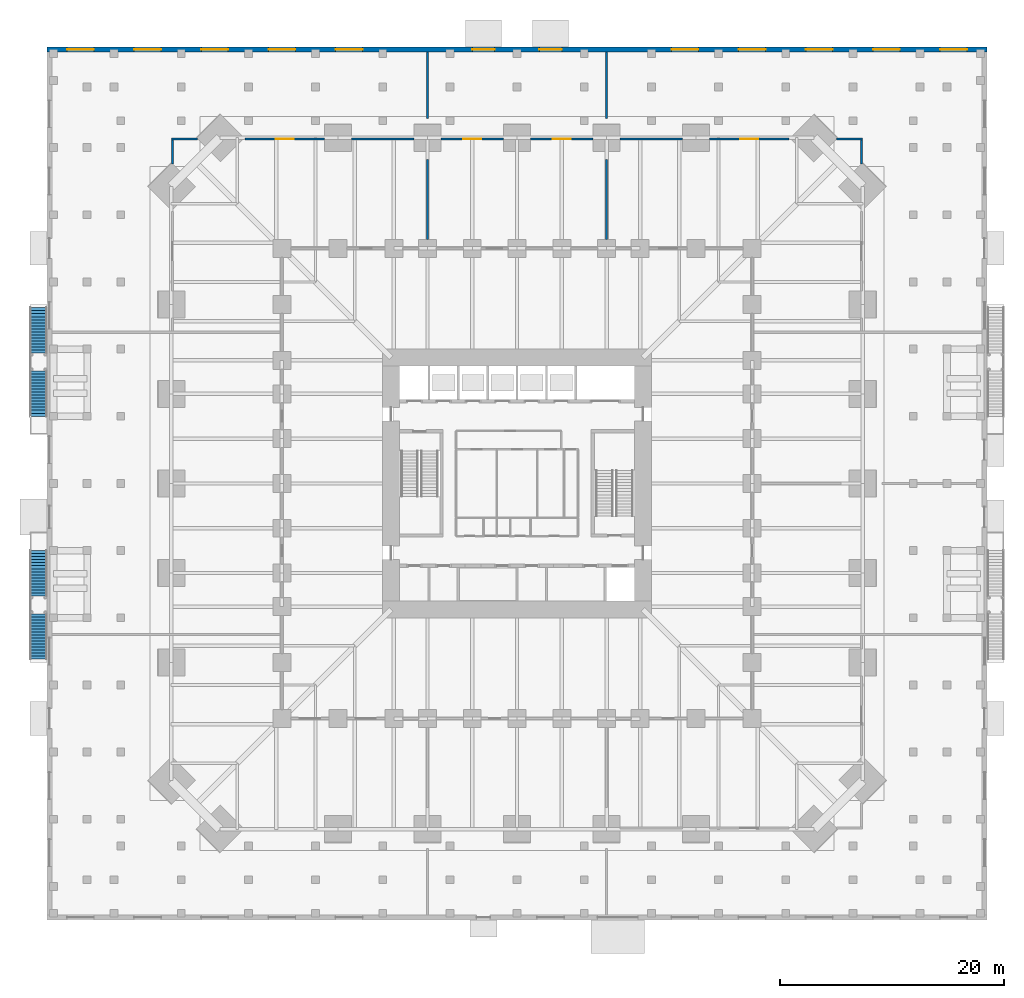
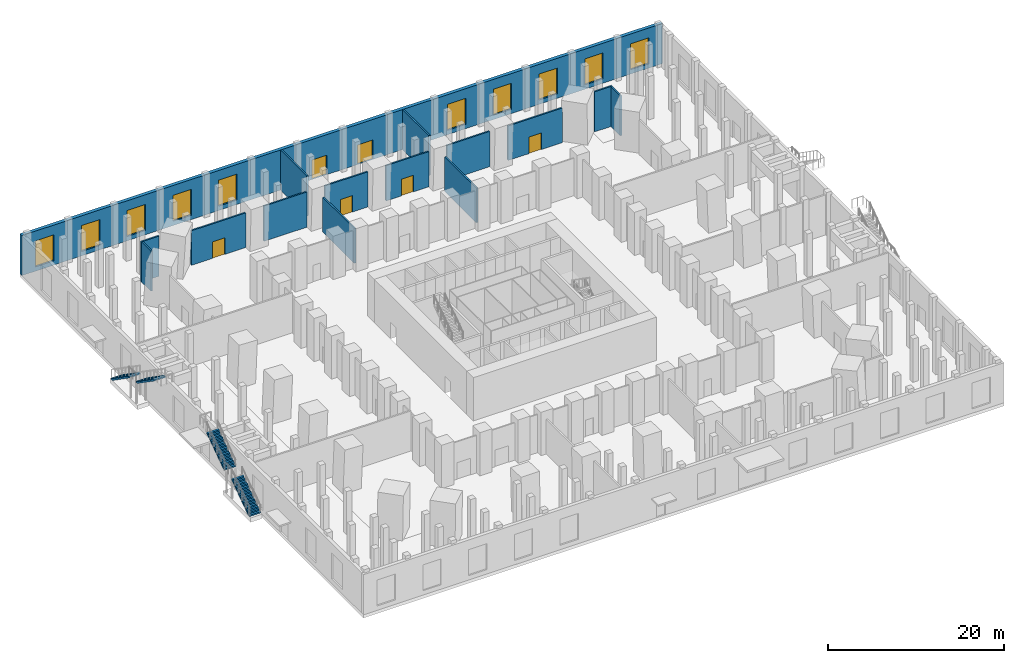
# One storey, part 17 of 20: 15 walls, 10 windows, 6 doors, 4 stair flights, 16 openings, 2 elements without a shape of their own.
"""IFC4 building model written with IfcOpenShell, lengths in metres."""

from ifc_helpers import new_model, si_unit, direction, frame, frame_2d, origin, place, context, subcontext, project, spatial, polyline, rectangle, outline, extrude, material, layer, layer_set, type_object, element, fill, aggregate, save


model = new_model("IFC4")

# Units and contexts
model_context = context("Model", 3, precision=1e-05, world=origin(), true_north=direction((0.0, 1.0)))
body_context = subcontext(model_context, "Body", "Model", "MODEL_VIEW")
ifc_project = project(units=[si_unit("LENGTHUNIT", "METRE"), si_unit("AREAUNIT", "SQUARE_METRE"), si_unit("VOLUMEUNIT", "CUBIC_METRE"), si_unit("PLANEANGLEUNIT", "RADIAN"), si_unit("MASSUNIT", "GRAM", prefix="KILO")], contexts=[model_context])

# Site, building, storey
site_placement = place(None, origin())
site = spatial("IfcSite", under=ifc_project, at=site_placement, CompositionType="ELEMENT")
building_placement = place(site_placement, origin())
building = spatial("IfcBuilding", under=site, at=building_placement, Name="Peilmerk Tower", CompositionType="ELEMENT")
storey_placement = place(building_placement, origin())
storey = spatial("IfcBuildingStorey", under=building, at=storey_placement, Name="L00", CompositionType="ELEMENT", Elevation=0.0)

# Wall, openings, doors, windows
ifc_material_1 = material(Name="Precast concrete C45/55, board-marked finish", Category="concrete")
ifc_layer_1 = layer(ifc_material_1, 0.449951171875)
ifc_layer_set_1 = layer_set([ifc_layer_1], Name="Precast concrete C45/55, board-marked finish")
wall_type_1 = type_object("IfcWallType", Name="EW1 450 precast concrete facade wall, board-marked", PredefinedType="SOLIDWALL", material=ifc_layer_set_1)
wall_1_placement = place(storey_placement, frame((-42.0, 38.77490234375, 0.0), z_axis=(0.0, 0.0, 1.0), x_axis=(1.0, 0.0, 0.0)))
wall_1 = element("IfcWall", 1, at=wall_1_placement, inside=storey, type_object=wall_type_1, Name="Facade wall N L00", PredefinedType="SOLIDWALL", context=body_context, shape_type="SweptSolid", body=[
    extrude(rectangle(XDim=84.0, YDim=0.449951171875, at=frame_2d((42.0, 0.0))), origin(), (0.0, 0.0, 1.0), 5.550048828125),
])
opening_1_placement = place(wall_1_placement, frame((1.800048828125, 0.0, 0.60009765625)))
opening_1 = element("IfcOpeningElement", 2, at=opening_1_placement, cuts=wall_1, Name="Opening W4", PredefinedType="OPENING", context=body_context, shape_type="SweptSolid", body=[
    extrude(rectangle(XDim=2.39990234375, YDim=3.60009765625, at=frame_2d((1.199951171875, 1.800048828125))), frame((0.0, 0.23486328125, 0.0), z_axis=(0.0, -1.0, 0.0), x_axis=(1.0, 0.0, 0.0)), (0.0, 0.0, 1.0), 0.469970703125),
])
opening_2_placement = place(wall_1_placement, frame((7.800048828125, 0.0, 0.60009765625)))
opening_2 = element("IfcOpeningElement", 3, at=opening_2_placement, cuts=wall_1, Name="Opening W4", PredefinedType="OPENING", context=body_context, shape_type="SweptSolid", body=[
    extrude(rectangle(XDim=2.39990234375, YDim=3.60009765625, at=frame_2d((1.199951171875, 1.800048828125))), frame((0.0, 0.23486328125, 0.0), z_axis=(0.0, -1.0, 0.0), x_axis=(1.0, 0.0, 0.0)), (0.0, 0.0, 1.0), 0.469970703125),
])
opening_3_placement = place(wall_1_placement, frame((13.800048828125, 0.0, 0.60009765625)))
opening_3 = element("IfcOpeningElement", 4, at=opening_3_placement, cuts=wall_1, Name="Opening W4", PredefinedType="OPENING", context=body_context, shape_type="SweptSolid", body=[
    extrude(rectangle(XDim=2.39990234375, YDim=3.60009765625, at=frame_2d((1.199951171875, 1.800048828125))), frame((0.0, 0.23486328125, 0.0), z_axis=(0.0, -1.0, 0.0), x_axis=(1.0, 0.0, 0.0)), (0.0, 0.0, 1.0), 0.469970703125),
])
opening_4_placement = place(wall_1_placement, frame((19.800048828125, 0.0, 0.60009765625)))
opening_4 = element("IfcOpeningElement", 5, at=opening_4_placement, cuts=wall_1, Name="Opening W4", PredefinedType="OPENING", context=body_context, shape_type="SweptSolid", body=[
    extrude(rectangle(XDim=2.39990234375, YDim=3.60009765625, at=frame_2d((1.199951171875, 1.800048828125))), frame((0.0, 0.23486328125, 0.0), z_axis=(0.0, -1.0, 0.0), x_axis=(1.0, 0.0, 0.0)), (0.0, 0.0, 1.0), 0.469970703125),
])
opening_5_placement = place(wall_1_placement, frame((25.800048828125, 0.0, 0.60009765625)))
opening_5 = element("IfcOpeningElement", 6, at=opening_5_placement, cuts=wall_1, Name="Opening W4", PredefinedType="OPENING", context=body_context, shape_type="SweptSolid", body=[
    extrude(rectangle(XDim=2.39990234375, YDim=3.60009765625, at=frame_2d((1.199951171875, 1.800048828125))), frame((0.0, 0.23486328125, 0.0), z_axis=(0.0, -1.0, 0.0), x_axis=(1.0, 0.0, 0.0)), (0.0, 0.0, 1.0), 0.469970703125),
])
opening_6_placement = place(wall_1_placement, frame((55.800048828125, 0.0, 0.60009765625)))
opening_6 = element("IfcOpeningElement", 7, at=opening_6_placement, cuts=wall_1, Name="Opening W4", PredefinedType="OPENING", context=body_context, shape_type="SweptSolid", body=[
    extrude(rectangle(XDim=2.39990234375, YDim=3.60009765625, at=frame_2d((1.199951171875, 1.800048828125))), frame((0.0, 0.23486328125, 0.0), z_axis=(0.0, -1.0, 0.0), x_axis=(1.0, 0.0, 0.0)), (0.0, 0.0, 1.0), 0.469970703125),
])
opening_7_placement = place(wall_1_placement, frame((61.800048828125, 0.0, 0.60009765625)))
opening_7 = element("IfcOpeningElement", 8, at=opening_7_placement, cuts=wall_1, Name="Opening W4", PredefinedType="OPENING", context=body_context, shape_type="SweptSolid", body=[
    extrude(rectangle(XDim=2.39990234375, YDim=3.60009765625, at=frame_2d((1.199951171875, 1.800048828125))), frame((0.0, 0.23486328125, 0.0), z_axis=(0.0, -1.0, 0.0), x_axis=(1.0, 0.0, 0.0)), (0.0, 0.0, 1.0), 0.469970703125),
])
opening_8_placement = place(wall_1_placement, frame((67.800048828125, 0.0, 0.60009765625)))
opening_8 = element("IfcOpeningElement", 9, at=opening_8_placement, cuts=wall_1, Name="Opening W4", PredefinedType="OPENING", context=body_context, shape_type="SweptSolid", body=[
    extrude(rectangle(XDim=2.39990234375, YDim=3.60009765625, at=frame_2d((1.199951171875, 1.800048828125))), frame((0.0, 0.23486328125, 0.0), z_axis=(0.0, -1.0, 0.0), x_axis=(1.0, 0.0, 0.0)), (0.0, 0.0, 1.0), 0.469970703125),
])
opening_9_placement = place(wall_1_placement, frame((73.800048828125, 0.0, 0.60009765625)))
opening_9 = element("IfcOpeningElement", 10, at=opening_9_placement, cuts=wall_1, Name="Opening W4", PredefinedType="OPENING", context=body_context, shape_type="SweptSolid", body=[
    extrude(rectangle(XDim=2.39990234375, YDim=3.60009765625, at=frame_2d((1.199951171875, 1.800048828125))), frame((0.0, 0.23486328125, 0.0), z_axis=(0.0, -1.0, 0.0), x_axis=(1.0, 0.0, 0.0)), (0.0, 0.0, 1.0), 0.469970703125),
])
opening_10_placement = place(wall_1_placement, frame((79.800048828125, 0.0, 0.60009765625)))
opening_10 = element("IfcOpeningElement", 11, at=opening_10_placement, cuts=wall_1, Name="Opening W4", PredefinedType="OPENING", context=body_context, shape_type="SweptSolid", body=[
    extrude(rectangle(XDim=2.39990234375, YDim=3.60009765625, at=frame_2d((1.199951171875, 1.800048828125))), frame((0.0, 0.23486328125, 0.0), z_axis=(0.0, -1.0, 0.0), x_axis=(1.0, 0.0, 0.0)), (0.0, 0.0, 1.0), 0.469970703125),
])
opening_11_placement = place(wall_1_placement, frame((38.0, 0.0, 0.0)))
opening_11 = element("IfcOpeningElement", 12, at=opening_11_placement, cuts=wall_1, Name="Opening ED1", PredefinedType="OPENING", context=body_context, shape_type="SweptSolid", body=[
    extrude(rectangle(XDim=2.0, YDim=2.699951171875, at=frame_2d((1.0, 1.35009765625))), frame((0.0, 0.23486328125, 0.0), z_axis=(0.0, -1.0, 0.0), x_axis=(1.0, 0.0, 0.0)), (0.0, 0.0, 1.0), 0.469970703125),
])
opening_12_placement = place(wall_1_placement, frame((44.0, 0.0, 0.0)))
opening_12 = element("IfcOpeningElement", 13, at=opening_12_placement, cuts=wall_1, Name="Opening ED1", PredefinedType="OPENING", context=body_context, shape_type="SweptSolid", body=[
    extrude(rectangle(XDim=2.0, YDim=2.699951171875, at=frame_2d((1.0, 1.35009765625))), frame((0.0, 0.23486328125, 0.0), z_axis=(0.0, -1.0, 0.0), x_axis=(1.0, 0.0, 0.0)), (0.0, 0.0, 1.0), 0.469970703125),
])
ifc_material_2 = material(Name="Aluminium frame, clear glazing", Category="aluminium")
door_type_1 = type_object("IfcDoorType", Name="ED1 2000x2700 entrance door pair, glazed", OperationType="DOUBLE_DOOR_DOUBLE_SWING", PredefinedType="DOOR", material=ifc_material_2)
door_1_placement = place(opening_11_placement, origin())
door_1 = element("IfcDoor", 14, at=door_1_placement, inside=storey, type_object=door_type_1, Name="Entrance door pair, glazed L00", OperationType="DOUBLE_DOOR_DOUBLE_SWING", OverallHeight=2.699951171875, OverallWidth=2.0, PredefinedType="DOOR", context=body_context, shape_type="SweptSolid", body=[
    extrude(rectangle(XDim=2.0, YDim=2.699951171875, at=frame_2d((1.0, 1.35009765625))), frame((0.0, 0.02490234375, 0.0), z_axis=(0.0, -1.0, 0.0), x_axis=(1.0, 0.0, 0.0)), (0.0, 0.0, 1.0), 0.050048828125),
])
fill(opening_11, door_1)
door_2_placement = place(opening_12_placement, origin())
door_2 = element("IfcDoor", 15, at=door_2_placement, inside=storey, type_object=door_type_1, Name="Entrance door pair, glazed L00", OperationType="DOUBLE_DOOR_DOUBLE_SWING", OverallHeight=2.699951171875, OverallWidth=2.0, PredefinedType="DOOR", context=body_context, shape_type="SweptSolid", body=[
    extrude(rectangle(XDim=2.0, YDim=2.699951171875, at=frame_2d((1.0, 1.35009765625))), frame((0.0, 0.02490234375, 0.0), z_axis=(0.0, -1.0, 0.0), x_axis=(1.0, 0.0, 0.0)), (0.0, 0.0, 1.0), 0.050048828125),
])
fill(opening_12, door_2)
ifc_material_3 = material(Name="Aluminium frame, clear double glazing", Category="aluminium")
window_type = type_object("IfcWindowType", Name="W4 2400x3600 podium entrance glazing", PartitioningType="SINGLE_PANEL", PredefinedType="WINDOW", material=ifc_material_3)
window_1_placement = place(opening_1_placement, origin())
window_1 = element("IfcWindow", 16, at=window_1_placement, inside=storey, type_object=window_type, Name="Window W4 L00", OverallHeight=3.60009765625, OverallWidth=2.39990234375, PartitioningType="SINGLE_PANEL", PredefinedType="WINDOW", context=body_context, shape_type="SweptSolid", body=[
    extrude(rectangle(XDim=2.39990234375, YDim=3.60009765625, at=frame_2d((1.199951171875, 1.800048828125))), frame((0.0, 0.030029296875, 0.0), z_axis=(0.0, -1.0, 0.0), x_axis=(1.0, 0.0, 0.0)), (0.0, 0.0, 1.0), 0.06005859375),
])
fill(opening_1, window_1)
window_2_placement = place(opening_2_placement, origin())
window_2 = element("IfcWindow", 17, at=window_2_placement, inside=storey, type_object=window_type, Name="Window W4 L00", OverallHeight=3.60009765625, OverallWidth=2.39990234375, PartitioningType="SINGLE_PANEL", PredefinedType="WINDOW", context=body_context, shape_type="SweptSolid", body=[
    extrude(rectangle(XDim=2.39990234375, YDim=3.60009765625, at=frame_2d((1.199951171875, 1.800048828125))), frame((0.0, 0.030029296875, 0.0), z_axis=(0.0, -1.0, 0.0), x_axis=(1.0, 0.0, 0.0)), (0.0, 0.0, 1.0), 0.06005859375),
])
fill(opening_2, window_2)
window_3_placement = place(opening_3_placement, origin())
window_3 = element("IfcWindow", 18, at=window_3_placement, inside=storey, type_object=window_type, Name="Window W4 L00", OverallHeight=3.60009765625, OverallWidth=2.39990234375, PartitioningType="SINGLE_PANEL", PredefinedType="WINDOW", context=body_context, shape_type="SweptSolid", body=[
    extrude(rectangle(XDim=2.39990234375, YDim=3.60009765625, at=frame_2d((1.199951171875, 1.800048828125))), frame((0.0, 0.030029296875, 0.0), z_axis=(0.0, -1.0, 0.0), x_axis=(1.0, 0.0, 0.0)), (0.0, 0.0, 1.0), 0.06005859375),
])
fill(opening_3, window_3)
window_4_placement = place(opening_4_placement, origin())
window_4 = element("IfcWindow", 19, at=window_4_placement, inside=storey, type_object=window_type, Name="Window W4 L00", OverallHeight=3.60009765625, OverallWidth=2.39990234375, PartitioningType="SINGLE_PANEL", PredefinedType="WINDOW", context=body_context, shape_type="SweptSolid", body=[
    extrude(rectangle(XDim=2.39990234375, YDim=3.60009765625, at=frame_2d((1.199951171875, 1.800048828125))), frame((0.0, 0.030029296875, 0.0), z_axis=(0.0, -1.0, 0.0), x_axis=(1.0, 0.0, 0.0)), (0.0, 0.0, 1.0), 0.06005859375),
])
fill(opening_4, window_4)
window_5_placement = place(opening_5_placement, origin())
window_5 = element("IfcWindow", 20, at=window_5_placement, inside=storey, type_object=window_type, Name="Window W4 L00", OverallHeight=3.60009765625, OverallWidth=2.39990234375, PartitioningType="SINGLE_PANEL", PredefinedType="WINDOW", context=body_context, shape_type="SweptSolid", body=[
    extrude(rectangle(XDim=2.39990234375, YDim=3.60009765625, at=frame_2d((1.199951171875, 1.800048828125))), frame((0.0, 0.030029296875, 0.0), z_axis=(0.0, -1.0, 0.0), x_axis=(1.0, 0.0, 0.0)), (0.0, 0.0, 1.0), 0.06005859375),
])
fill(opening_5, window_5)
window_6_placement = place(opening_6_placement, origin())
window_6 = element("IfcWindow", 21, at=window_6_placement, inside=storey, type_object=window_type, Name="Window W4 L00", OverallHeight=3.60009765625, OverallWidth=2.39990234375, PartitioningType="SINGLE_PANEL", PredefinedType="WINDOW", context=body_context, shape_type="SweptSolid", body=[
    extrude(rectangle(XDim=2.39990234375, YDim=3.60009765625, at=frame_2d((1.199951171875, 1.800048828125))), frame((0.0, 0.030029296875, 0.0), z_axis=(0.0, -1.0, 0.0), x_axis=(1.0, 0.0, 0.0)), (0.0, 0.0, 1.0), 0.06005859375),
])
fill(opening_6, window_6)
window_7_placement = place(opening_7_placement, origin())
window_7 = element("IfcWindow", 22, at=window_7_placement, inside=storey, type_object=window_type, Name="Window W4 L00", OverallHeight=3.60009765625, OverallWidth=2.39990234375, PartitioningType="SINGLE_PANEL", PredefinedType="WINDOW", context=body_context, shape_type="SweptSolid", body=[
    extrude(rectangle(XDim=2.39990234375, YDim=3.60009765625, at=frame_2d((1.199951171875, 1.800048828125))), frame((0.0, 0.030029296875, 0.0), z_axis=(0.0, -1.0, 0.0), x_axis=(1.0, 0.0, 0.0)), (0.0, 0.0, 1.0), 0.06005859375),
])
fill(opening_7, window_7)
window_8_placement = place(opening_8_placement, origin())
window_8 = element("IfcWindow", 23, at=window_8_placement, inside=storey, type_object=window_type, Name="Window W4 L00", OverallHeight=3.60009765625, OverallWidth=2.39990234375, PartitioningType="SINGLE_PANEL", PredefinedType="WINDOW", context=body_context, shape_type="SweptSolid", body=[
    extrude(rectangle(XDim=2.39990234375, YDim=3.60009765625, at=frame_2d((1.199951171875, 1.800048828125))), frame((0.0, 0.030029296875, 0.0), z_axis=(0.0, -1.0, 0.0), x_axis=(1.0, 0.0, 0.0)), (0.0, 0.0, 1.0), 0.06005859375),
])
fill(opening_8, window_8)
window_9_placement = place(opening_9_placement, origin())
window_9 = element("IfcWindow", 24, at=window_9_placement, inside=storey, type_object=window_type, Name="Window W4 L00", OverallHeight=3.60009765625, OverallWidth=2.39990234375, PartitioningType="SINGLE_PANEL", PredefinedType="WINDOW", context=body_context, shape_type="SweptSolid", body=[
    extrude(rectangle(XDim=2.39990234375, YDim=3.60009765625, at=frame_2d((1.199951171875, 1.800048828125))), frame((0.0, 0.030029296875, 0.0), z_axis=(0.0, -1.0, 0.0), x_axis=(1.0, 0.0, 0.0)), (0.0, 0.0, 1.0), 0.06005859375),
])
fill(opening_9, window_9)
window_10_placement = place(opening_10_placement, origin())
window_10 = element("IfcWindow", 25, at=window_10_placement, inside=storey, type_object=window_type, Name="Window W4 L00", OverallHeight=3.60009765625, OverallWidth=2.39990234375, PartitioningType="SINGLE_PANEL", PredefinedType="WINDOW", context=body_context, shape_type="SweptSolid", body=[
    extrude(rectangle(XDim=2.39990234375, YDim=3.60009765625, at=frame_2d((1.199951171875, 1.800048828125))), frame((0.0, 0.030029296875, 0.0), z_axis=(0.0, -1.0, 0.0), x_axis=(1.0, 0.0, 0.0)), (0.0, 0.0, 1.0), 0.06005859375),
])
fill(opening_10, window_10)

# Walls
ifc_material_4 = material(Name="Calcium silicate block", Category="masonry")
ifc_layer_2 = layer(ifc_material_4, 0.199951171875)
ifc_layer_set_2 = layer_set([ifc_layer_2], Name="Calcium silicate block")
wall_type_2 = type_object("IfcWallType", Name="IW2 200 room separating wall, EI 120", PredefinedType="PARTITIONING", material=ifc_layer_set_2)
wall_2_placement = place(storey_placement, frame((-8.0, 21.800048828125, 0.0), z_axis=(0.0, 0.0, 1.0), x_axis=(0.0, 1.0, 0.0)))
element("IfcWall", 26, at=wall_2_placement, inside=storey, type_object=wall_type_2, Name="Room separating wall N1 L00", PredefinedType="PARTITIONING", context=body_context, shape_type="SweptSolid", body=[
    extrude(rectangle(XDim=7.15771484375, YDim=0.199951171875, at=frame_2d((3.578857421875, 0.0))), origin(), (0.0, 0.0, 1.0), 4.81005859375),
])
wall_3_placement = place(storey_placement, frame((-8.0, 32.59375, 0.0), z_axis=(0.0, 0.0, 1.0), x_axis=(0.0, 1.0, 0.0)))
element("IfcWall", 27, at=wall_3_placement, inside=storey, type_object=wall_type_2, Name="Room separating wall N1b L00", PredefinedType="PARTITIONING", context=body_context, shape_type="SweptSolid", body=[
    extrude(rectangle(XDim=5.956298828125, YDim=0.199951171875, at=frame_2d((2.97802734375, 0.0))), origin(), (0.0, 0.0, 1.0), 5.550048828125),
])
wall_4_placement = place(storey_placement, frame((8.0, 21.800048828125, 0.0), z_axis=(0.0, 0.0, 1.0), x_axis=(0.0, 1.0, 0.0)))
element("IfcWall", 28, at=wall_4_placement, inside=storey, type_object=wall_type_2, Name="Room separating wall N2 L00", PredefinedType="PARTITIONING", context=body_context, shape_type="SweptSolid", body=[
    extrude(rectangle(XDim=7.15771484375, YDim=0.199951171875, at=frame_2d((3.578857421875, 0.0))), origin(), (0.0, 0.0, 1.0), 4.81005859375),
])
wall_5_placement = place(storey_placement, frame((8.0, 32.59375, 0.0), z_axis=(0.0, 0.0, 1.0), x_axis=(0.0, 1.0, 0.0)))
element("IfcWall", 29, at=wall_5_placement, inside=storey, type_object=wall_type_2, Name="Room separating wall N2b L00", PredefinedType="PARTITIONING", context=body_context, shape_type="SweptSolid", body=[
    extrude(rectangle(XDim=5.956298828125, YDim=0.199951171875, at=frame_2d((2.97802734375, 0.0))), origin(), (0.0, 0.0, 1.0), 5.550048828125),
])
wall_6_placement = place(storey_placement, frame((-30.77587890625, 28.547119140625, 0.0), z_axis=(0.0, 0.0, 1.0), x_axis=(0.0, 1.0, 0.0)))
element("IfcWall", 30, at=wall_6_placement, inside=storey, type_object=wall_type_2, Name="Room separating wall N1X002 L00", PredefinedType="PARTITIONING", context=body_context, shape_type="SweptSolid", body=[
    extrude(rectangle(XDim=2.128662109375, YDim=0.199951171875, at=frame_2d((1.064453125, 0.0))), origin(), (0.0, 0.0, 1.0), 5.550048828125),
])
wall_7_placement = place(storey_placement, frame((-30.875732421875, 30.77587890625, 0.0), z_axis=(0.0, 0.0, 1.0), x_axis=(1.0, 0.0, 0.0)))
element("IfcWall", 31, at=wall_7_placement, inside=storey, type_object=wall_type_2, Name="Room separating wall N1X010 L00", PredefinedType="PARTITIONING", context=body_context, shape_type="SweptSolid", body=[
    extrude(rectangle(XDim=2.32861328125, YDim=0.199951171875, at=frame_2d((1.164306640625, 0.0))), origin(), (0.0, 0.0, 1.0), 5.550048828125),
])

# Wall, opening, door
wall_8_placement = place(storey_placement, frame((-24.304443359375, 30.77587890625, 0.0), z_axis=(0.0, 0.0, 1.0), x_axis=(1.0, 0.0, 0.0)))
wall_8 = element("IfcWall", 32, at=wall_8_placement, inside=storey, type_object=wall_type_2, Name="Room separating wall N1X011 L00", PredefinedType="PARTITIONING", context=body_context, shape_type="SweptSolid", body=[
    extrude(rectangle(XDim=7.1044921875, YDim=0.199951171875, at=frame_2d((3.55224609375, 0.0))), origin(), (0.0, 0.0, 1.0), 4.800048828125),
])
opening_13_placement = place(wall_8_placement, frame((2.752197265625, 0.0, 0.0)))
opening_13 = element("IfcOpeningElement", 33, at=opening_13_placement, cuts=wall_8, Name="Opening D9", PredefinedType="OPENING", context=body_context, shape_type="SweptSolid", body=[
    extrude(rectangle(XDim=1.60009765625, YDim=2.300048828125, at=frame_2d((0.800048828125, 1.14990234375))), frame((0.0, 0.10986328125, 0.0), z_axis=(0.0, -1.0, 0.0), x_axis=(1.0, 0.0, 0.0)), (0.0, 0.0, 1.0), 0.219970703125),
])
ifc_material_5 = material(Name="Glazed timber door in steel frame", Category="steel")
door_type_2 = type_object("IfcDoorType", Name="D9 1600x2300 glazed double door, EI2 30", OperationType="DOUBLE_DOOR_SINGLE_SWING", PredefinedType="DOOR", material=ifc_material_5)
door_3_placement = place(opening_13_placement, origin())
door_3 = element("IfcDoor", 34, at=door_3_placement, inside=storey, type_object=door_type_2, Name="Door Colonnade walkway L00", OperationType="DOUBLE_DOOR_SINGLE_SWING", OverallHeight=2.300048828125, OverallWidth=1.60009765625, PredefinedType="DOOR", context=body_context, shape_type="SweptSolid", body=[
    extrude(rectangle(XDim=1.60009765625, YDim=2.300048828125, at=frame_2d((0.800048828125, 1.14990234375))), frame((0.0, 0.02490234375, 0.0), z_axis=(0.0, -1.0, 0.0), x_axis=(1.0, 0.0, 0.0)), (0.0, 0.0, 1.0), 0.050048828125),
])
fill(opening_13, door_3)

# Wall
wall_9_placement = place(storey_placement, frame((-14.800048828125, 30.77587890625, 0.0), z_axis=(0.0, 0.0, 1.0), x_axis=(1.0, 0.0, 0.0)))
element("IfcWall", 35, at=wall_9_placement, inside=storey, type_object=wall_type_2, Name="Room separating wall N1X012 L00", PredefinedType="PARTITIONING", context=body_context, shape_type="SweptSolid", body=[
    extrude(rectangle(XDim=5.60009765625, YDim=0.199951171875, at=frame_2d((2.800048828125, 0.0))), origin(), (0.0, 0.0, 1.0), 4.889892578125),
])

# Wall, opening, door
wall_10_placement = place(storey_placement, frame((-6.800048828125, 30.77587890625, 0.0), z_axis=(0.0, 0.0, 1.0), x_axis=(1.0, 0.0, 0.0)))
wall_10 = element("IfcWall", 36, at=wall_10_placement, inside=storey, type_object=wall_type_2, Name="Room separating wall N2X000 L00", PredefinedType="PARTITIONING", context=body_context, shape_type="SweptSolid", body=[
    extrude(rectangle(XDim=5.60009765625, YDim=0.199951171875, at=frame_2d((2.800048828125, 0.0))), origin(), (0.0, 0.0, 1.0), 4.889892578125),
])
opening_14_placement = place(wall_10_placement, frame((2.0, 0.0, 0.0)))
opening_14 = element("IfcOpeningElement", 37, at=opening_14_placement, cuts=wall_10, Name="Opening D9", PredefinedType="OPENING", context=body_context, shape_type="SweptSolid", body=[
    extrude(rectangle(XDim=1.60009765625, YDim=2.300048828125, at=frame_2d((0.800048828125, 1.14990234375))), frame((0.0, 0.10986328125, 0.0), z_axis=(0.0, -1.0, 0.0), x_axis=(1.0, 0.0, 0.0)), (0.0, 0.0, 1.0), 0.219970703125),
])
door_4_placement = place(opening_14_placement, origin())
door_4 = element("IfcDoor", 38, at=door_4_placement, inside=storey, type_object=door_type_2, Name="Door Colonnade walkway L00", OperationType="DOUBLE_DOOR_SINGLE_SWING", OverallHeight=2.300048828125, OverallWidth=1.60009765625, PredefinedType="DOOR", context=body_context, shape_type="SweptSolid", body=[
    extrude(rectangle(XDim=1.60009765625, YDim=2.300048828125, at=frame_2d((0.800048828125, 1.14990234375))), frame((0.0, 0.02490234375, 0.0), z_axis=(0.0, -1.0, 0.0), x_axis=(1.0, 0.0, 0.0)), (0.0, 0.0, 1.0), 0.050048828125),
])
fill(opening_14, door_4)

wall_11_placement = place(storey_placement, frame((1.199951171875, 30.77587890625, 0.0), z_axis=(0.0, 0.0, 1.0), x_axis=(1.0, 0.0, 0.0)))
wall_11 = element("IfcWall", 39, at=wall_11_placement, inside=storey, type_object=wall_type_2, Name="Room separating wall N2X001 L00", PredefinedType="PARTITIONING", context=body_context, shape_type="SweptSolid", body=[
    extrude(rectangle(XDim=5.60009765625, YDim=0.199951171875, at=frame_2d((2.800048828125, 0.0))), origin(), (0.0, 0.0, 1.0), 4.889892578125),
])
opening_15_placement = place(wall_11_placement, frame((2.0, 0.0, 0.0)))
opening_15 = element("IfcOpeningElement", 40, at=opening_15_placement, cuts=wall_11, Name="Opening D9", PredefinedType="OPENING", context=body_context, shape_type="SweptSolid", body=[
    extrude(rectangle(XDim=1.60009765625, YDim=2.300048828125, at=frame_2d((0.800048828125, 1.14990234375))), frame((0.0, 0.10986328125, 0.0), z_axis=(0.0, -1.0, 0.0), x_axis=(1.0, 0.0, 0.0)), (0.0, 0.0, 1.0), 0.219970703125),
])
door_5_placement = place(opening_15_placement, origin())
door_5 = element("IfcDoor", 41, at=door_5_placement, inside=storey, type_object=door_type_2, Name="Door Colonnade walkway L00", OperationType="DOUBLE_DOOR_SINGLE_SWING", OverallHeight=2.300048828125, OverallWidth=1.60009765625, PredefinedType="DOOR", context=body_context, shape_type="SweptSolid", body=[
    extrude(rectangle(XDim=1.60009765625, YDim=2.300048828125, at=frame_2d((0.800048828125, 1.14990234375))), frame((0.0, 0.02490234375, 0.0), z_axis=(0.0, -1.0, 0.0), x_axis=(1.0, 0.0, 0.0)), (0.0, 0.0, 1.0), 0.050048828125),
])
fill(opening_15, door_5)

# Wall
wall_12_placement = place(storey_placement, frame((9.199951171875, 30.77587890625, 0.0), z_axis=(0.0, 0.0, 1.0), x_axis=(1.0, 0.0, 0.0)))
element("IfcWall", 42, at=wall_12_placement, inside=storey, type_object=wall_type_2, Name="Room separating wall N3X000 L00", PredefinedType="PARTITIONING", context=body_context, shape_type="SweptSolid", body=[
    extrude(rectangle(XDim=5.60009765625, YDim=0.199951171875, at=frame_2d((2.800048828125, 0.0))), origin(), (0.0, 0.0, 1.0), 4.889892578125),
])

# Wall, opening, door
wall_13_placement = place(storey_placement, frame((17.199951171875, 30.77587890625, 0.0), z_axis=(0.0, 0.0, 1.0), x_axis=(1.0, 0.0, 0.0)))
wall_13 = element("IfcWall", 43, at=wall_13_placement, inside=storey, type_object=wall_type_2, Name="Room separating wall N3X001 L00", PredefinedType="PARTITIONING", context=body_context, shape_type="SweptSolid", body=[
    extrude(rectangle(XDim=7.1044921875, YDim=0.199951171875, at=frame_2d((3.55224609375, 0.0))), origin(), (0.0, 0.0, 1.0), 4.800048828125),
])
opening_16_placement = place(wall_13_placement, frame((2.752197265625, 0.0, 0.0)))
opening_16 = element("IfcOpeningElement", 44, at=opening_16_placement, cuts=wall_13, Name="Opening D9", PredefinedType="OPENING", context=body_context, shape_type="SweptSolid", body=[
    extrude(rectangle(XDim=1.60009765625, YDim=2.300048828125, at=frame_2d((0.800048828125, 1.14990234375))), frame((0.0, 0.10986328125, 0.0), z_axis=(0.0, -1.0, 0.0), x_axis=(1.0, 0.0, 0.0)), (0.0, 0.0, 1.0), 0.219970703125),
])
door_6_placement = place(opening_16_placement, origin())
door_6 = element("IfcDoor", 45, at=door_6_placement, inside=storey, type_object=door_type_2, Name="Door Colonnade walkway L00", OperationType="DOUBLE_DOOR_SINGLE_SWING", OverallHeight=2.300048828125, OverallWidth=1.60009765625, PredefinedType="DOOR", context=body_context, shape_type="SweptSolid", body=[
    extrude(rectangle(XDim=1.60009765625, YDim=2.300048828125, at=frame_2d((0.800048828125, 1.14990234375))), frame((0.0, 0.02490234375, 0.0), z_axis=(0.0, -1.0, 0.0), x_axis=(1.0, 0.0, 0.0)), (0.0, 0.0, 1.0), 0.050048828125),
])
fill(opening_16, door_6)

# Walls
wall_14_placement = place(storey_placement, frame((28.547119140625, 30.77587890625, 0.0), z_axis=(0.0, 0.0, 1.0), x_axis=(1.0, 0.0, 0.0)))
element("IfcWall", 46, at=wall_14_placement, inside=storey, type_object=wall_type_2, Name="Room separating wall N3X002 L00", PredefinedType="PARTITIONING", context=body_context, shape_type="SweptSolid", body=[
    extrude(rectangle(XDim=2.32861328125, YDim=0.199951171875, at=frame_2d((1.164306640625, 0.0))), origin(), (0.0, 0.0, 1.0), 5.550048828125),
])
wall_15_placement = place(storey_placement, frame((30.77587890625, 30.67578125, 0.0), z_axis=(0.0, 0.0, 1.0), x_axis=(0.0, -1.0, 0.0)))
element("IfcWall", 47, at=wall_15_placement, inside=storey, type_object=wall_type_2, Name="Room separating wall N3X010 L00", PredefinedType="PARTITIONING", context=body_context, shape_type="SweptSolid", body=[
    extrude(rectangle(XDim=2.128662109375, YDim=0.199951171875, at=frame_2d((1.064453125, 0.0))), origin(), (0.0, 0.0, 1.0), 5.550048828125),
])

# Stair, stair flights
ifc_material_6 = material(Name="Precast concrete C45/55", Category="concrete")
stair_type_1 = type_object("IfcStairType", Name="ST5 32 risers of 187.5, two straight flights", PredefinedType="TWO_STRAIGHT_RUN_STAIR", material=ifc_material_6)
stair_1_placement = place(storey_placement, origin())
stair_1 = element("IfcStair", 48, at=stair_1_placement, inside=storey, type_object=stair_type_1, Name="External stair 5 L00 to L01", PredefinedType="TWO_STRAIGHT_RUN_STAIR")
stair_flight_type = type_object("IfcStairFlightType", Name="SF16 flight, 16 risers of 187.5", PredefinedType="STRAIGHT", material=ifc_material_6)
stair_flight_1_placement = place(storey_placement, frame((-42.75, 15.699951171875, 0.0), z_axis=(0.0, 0.0, 1.0), x_axis=(0.0, -1.0, 0.0)))
stair_flight_1 = element("IfcStairFlight", 49, at=stair_flight_1_placement, type_object=stair_flight_type, Name="ST5 flight 1", NumberOfRisers=16, NumberOfTreads=15, PredefinedType="STRAIGHT", RiserHeight=0.1875, TreadLength=0.27, context=body_context, shape_type="SweptSolid", body=[
    extrude(outline(polyline([(0.0, 0.0), (0.0, 0.1875), (0.27001953125, 0.1875), (0.27001953125, 0.375), (0.5400390625, 0.375), (0.5400390625, 0.5625), (0.81005859375, 0.5625), (0.81005859375, 0.75), (1.080078125, 0.75), (1.080078125, 0.9375), (1.35009765625, 0.9375), (1.35009765625, 1.125), (1.6201171875, 1.125), (1.6201171875, 1.3125), (1.889892578125, 1.3125), (1.889892578125, 1.5), (2.159912109375, 1.5), (2.159912109375, 1.6875), (2.429931640625, 1.6875), (2.429931640625, 1.875), (2.699951171875, 1.875), (2.699951171875, 2.0625), (2.969970703125, 2.0625), (2.969970703125, 2.25), (3.239990234375, 2.25), (3.239990234375, 2.4375), (3.510009765625, 2.4375), (3.510009765625, 2.625), (3.780029296875, 2.625), (3.780029296875, 2.8125), (4.050048828125, 2.8125), (4.050048828125, 3.0), (4.050048828125, 2.6298828125), (0.2626953125, 0.0), (0.0, 0.0)])), frame((0.0, 0.75, 0.0), z_axis=(0.0, -1.0, 0.0), x_axis=(1.0, 0.0, 0.0)), (0.0, 0.0, 1.0), 1.5),
])
stair_flight_2_placement = place(storey_placement, frame((-42.75, 10.050048828125, 3.0), z_axis=(0.0, 0.0, 1.0), x_axis=(0.0, -1.0, 0.0)))
stair_flight_2 = element("IfcStairFlight", 50, at=stair_flight_2_placement, type_object=stair_flight_type, Name="ST5 flight 2", NumberOfRisers=16, NumberOfTreads=15, PredefinedType="STRAIGHT", RiserHeight=0.1875, TreadLength=0.27, context=body_context, shape_type="SweptSolid", body=[
    extrude(outline(polyline([(0.0, 0.0), (0.0, 0.1875), (0.27001953125, 0.1875), (0.27001953125, 0.375), (0.5400390625, 0.375), (0.5400390625, 0.5625), (0.81005859375, 0.5625), (0.81005859375, 0.75), (1.080078125, 0.75), (1.080078125, 0.9375), (1.35009765625, 0.9375), (1.35009765625, 1.125), (1.6201171875, 1.125), (1.6201171875, 1.3125), (1.889892578125, 1.3125), (1.889892578125, 1.5), (2.159912109375, 1.5), (2.159912109375, 1.6875), (2.429931640625, 1.6875), (2.429931640625, 1.875), (2.699951171875, 1.875), (2.699951171875, 2.0625), (2.969970703125, 2.0625), (2.969970703125, 2.25), (3.239990234375, 2.25), (3.239990234375, 2.4375), (3.510009765625, 2.4375), (3.510009765625, 2.625), (3.780029296875, 2.625), (3.780029296875, 2.8125), (4.050048828125, 2.8125), (4.050048828125, 3.0), (4.050048828125, 2.6298828125), (0.2626953125, 0.0), (0.0, 0.0)])), frame((0.0, 0.75, 0.0), z_axis=(0.0, -1.0, 0.0), x_axis=(1.0, 0.0, 0.0)), (0.0, 0.0, 1.0), 1.5),
])
aggregate(stair_1, [stair_flight_1, stair_flight_2])

stair_type_2 = type_object("IfcStairType", Name="ST6 32 risers of 187.5, two straight flights", PredefinedType="TWO_STRAIGHT_RUN_STAIR", material=ifc_material_6)
stair_2_placement = place(storey_placement, origin())
stair_2 = element("IfcStair", 51, at=stair_2_placement, inside=storey, type_object=stair_type_2, Name="External stair 6 L00 to L01", PredefinedType="TWO_STRAIGHT_RUN_STAIR")
stair_flight_3_placement = place(storey_placement, frame((-42.75, -15.699951171875, 0.0), z_axis=(0.0, 0.0, 1.0), x_axis=(0.0, 1.0, 0.0)))
stair_flight_3 = element("IfcStairFlight", 52, at=stair_flight_3_placement, type_object=stair_flight_type, Name="ST6 flight 1", NumberOfRisers=16, NumberOfTreads=15, PredefinedType="STRAIGHT", RiserHeight=0.1875, TreadLength=0.27, context=body_context, shape_type="SweptSolid", body=[
    extrude(outline(polyline([(0.0, 0.0), (0.0, 0.1875), (0.27001953125, 0.1875), (0.27001953125, 0.375), (0.5400390625, 0.375), (0.5400390625, 0.5625), (0.81005859375, 0.5625), (0.81005859375, 0.75), (1.080078125, 0.75), (1.080078125, 0.9375), (1.35009765625, 0.9375), (1.35009765625, 1.125), (1.6201171875, 1.125), (1.6201171875, 1.3125), (1.889892578125, 1.3125), (1.889892578125, 1.5), (2.159912109375, 1.5), (2.159912109375, 1.6875), (2.429931640625, 1.6875), (2.429931640625, 1.875), (2.699951171875, 1.875), (2.699951171875, 2.0625), (2.969970703125, 2.0625), (2.969970703125, 2.25), (3.239990234375, 2.25), (3.239990234375, 2.4375), (3.510009765625, 2.4375), (3.510009765625, 2.625), (3.780029296875, 2.625), (3.780029296875, 2.8125), (4.050048828125, 2.8125), (4.050048828125, 3.0), (4.050048828125, 2.6298828125), (0.2626953125, 0.0), (0.0, 0.0)])), frame((0.0, 0.75, 0.0), z_axis=(0.0, -1.0, 0.0), x_axis=(1.0, 0.0, 0.0)), (0.0, 0.0, 1.0), 1.5),
])
stair_flight_4_placement = place(storey_placement, frame((-42.75, -10.050048828125, 3.0), z_axis=(0.0, 0.0, 1.0), x_axis=(0.0, 1.0, 0.0)))
stair_flight_4 = element("IfcStairFlight", 53, at=stair_flight_4_placement, type_object=stair_flight_type, Name="ST6 flight 2", NumberOfRisers=16, NumberOfTreads=15, PredefinedType="STRAIGHT", RiserHeight=0.1875, TreadLength=0.27, context=body_context, shape_type="SweptSolid", body=[
    extrude(outline(polyline([(0.0, 0.0), (0.0, 0.1875), (0.27001953125, 0.1875), (0.27001953125, 0.375), (0.5400390625, 0.375), (0.5400390625, 0.5625), (0.81005859375, 0.5625), (0.81005859375, 0.75), (1.080078125, 0.75), (1.080078125, 0.9375), (1.35009765625, 0.9375), (1.35009765625, 1.125), (1.6201171875, 1.125), (1.6201171875, 1.3125), (1.889892578125, 1.3125), (1.889892578125, 1.5), (2.159912109375, 1.5), (2.159912109375, 1.6875), (2.429931640625, 1.6875), (2.429931640625, 1.875), (2.699951171875, 1.875), (2.699951171875, 2.0625), (2.969970703125, 2.0625), (2.969970703125, 2.25), (3.239990234375, 2.25), (3.239990234375, 2.4375), (3.510009765625, 2.4375), (3.510009765625, 2.625), (3.780029296875, 2.625), (3.780029296875, 2.8125), (4.050048828125, 2.8125), (4.050048828125, 3.0), (4.050048828125, 2.6298828125), (0.2626953125, 0.0), (0.0, 0.0)])), frame((0.0, 0.75, 0.0), z_axis=(0.0, -1.0, 0.0), x_axis=(1.0, 0.0, 0.0)), (0.0, 0.0, 1.0), 1.5),
])
aggregate(stair_2, [stair_flight_3, stair_flight_4])

save(model, "model.ifc")
